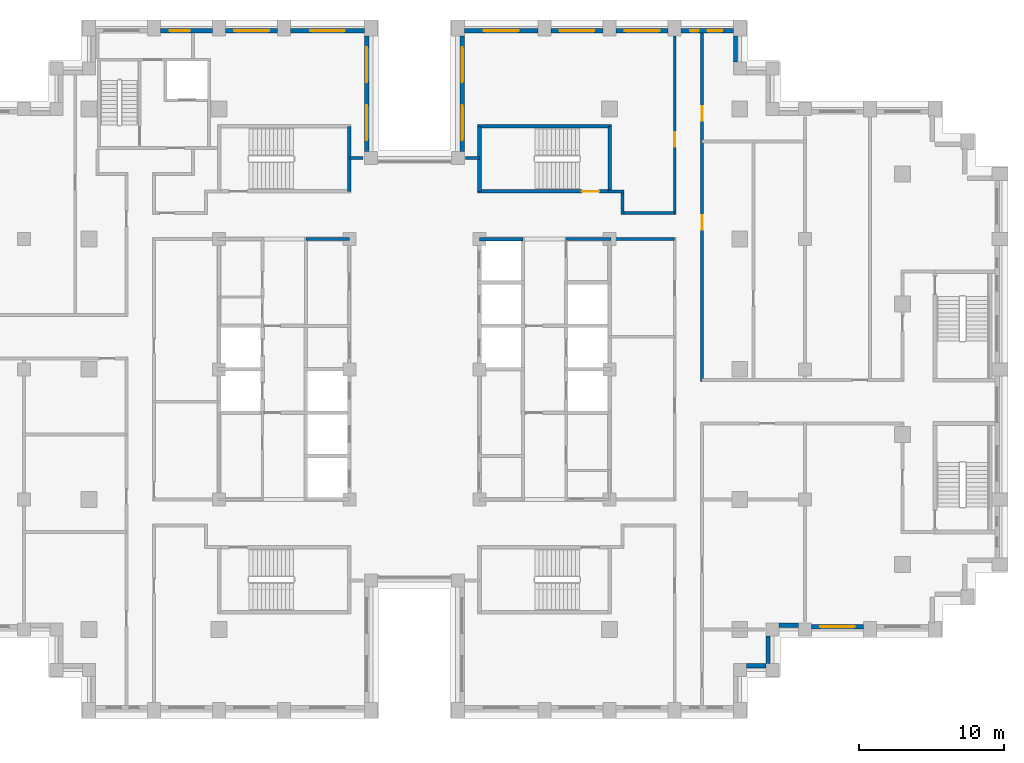
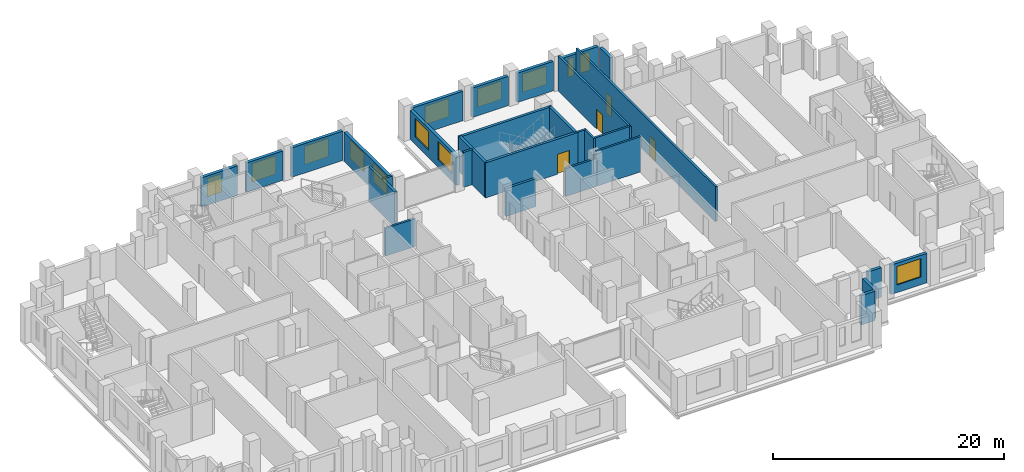
# One storey, part 11 of 16: 30 walls, 13 windows, 4 doors, 17 openings.
"""IFC4 building model written with IfcOpenShell, lengths in metres."""

from ifc_helpers import new_model, si_unit, direction, frame, frame_2d, origin, place, context, subcontext, project, spatial, rectangle, extrude, material, layer, layer_set, type_object, element, fill, save


model = new_model("IFC4")

# Units and contexts
model_context = context("Model", 3, precision=1e-05, world=origin(), true_north=direction((0.0, 1.0)))
body_context = subcontext(model_context, "Body", "Model", "MODEL_VIEW")
ifc_project = project(units=[si_unit("LENGTHUNIT", "METRE"), si_unit("AREAUNIT", "SQUARE_METRE"), si_unit("VOLUMEUNIT", "CUBIC_METRE"), si_unit("PLANEANGLEUNIT", "RADIAN"), si_unit("MASSUNIT", "GRAM", prefix="KILO")], contexts=[model_context])

# Site, building, storey
site_placement = place(None, origin())
site = spatial("IfcSite", under=ifc_project, at=site_placement, CompositionType="ELEMENT")
building_placement = place(site_placement, origin())
building = spatial("IfcBuilding", under=site, at=building_placement, Name="Corbelhall Arena Tower", CompositionType="ELEMENT")
storey_placement = place(building_placement, frame((0.0, 0.0, 154.0)))
storey = spatial("IfcBuildingStorey", under=building, at=storey_placement, Name="L30", CompositionType="ELEMENT", Elevation=154.0)

# Walls
ifc_material_1 = material(Name="Precast concrete C40/50 with granite facing", Category="masonry")
ifc_layer_1 = layer(ifc_material_1, 0.300048828125)
ifc_layer_set_1 = layer_set([ifc_layer_1], Name="EV-IW1 Infill panel 300")
wall_type_1 = type_object("IfcWallType", Name="EV-IW1 Infill panel 300", PredefinedType="SOLIDWALL", material=ifc_layer_set_1)
wall_1_placement = place(storey_placement, frame((22.949951171875, -20.5, 0.0), z_axis=(0.0, 0.0, 1.0), x_axis=(1.0, 0.0, 0.0)))
element("IfcWall", 1, at=wall_1_placement, inside=storey, type_object=wall_type_1, Name="Infill panel IW1", PredefinedType="SOLIDWALL", context=body_context, shape_type="SweptSolid", body=[
    extrude(rectangle(XDim=1.35009765625, YDim=0.300048828125, at=frame_2d((0.675048828125, 0.0))), origin(), (0.0, 0.0, 1.0), 3.10009765625),
])
wall_2_placement = place(storey_placement, frame((24.449951171875, -20.35009765625, 0.0), z_axis=(0.0, 0.0, 1.0), x_axis=(0.0, 1.0, 0.0)))
element("IfcWall", 2, at=wall_2_placement, inside=storey, type_object=wall_type_1, Name="Infill panel IW1", PredefinedType="SOLIDWALL", context=body_context, shape_type="SweptSolid", body=[
    extrude(rectangle(XDim=1.900146484375, YDim=0.300048828125, at=frame_2d((0.9501953125, 0.0))), origin(), (0.0, 0.0, 1.0), 3.10009765625),
])
wall_3_placement = place(storey_placement, frame((25.199951171875, -17.699951171875, 0.0), z_axis=(0.0, 0.0, 1.0), x_axis=(1.0, 0.0, 0.0)))
element("IfcWall", 3, at=wall_3_placement, inside=storey, type_object=wall_type_1, Name="Infill panel IW1", PredefinedType="SOLIDWALL", context=body_context, shape_type="SweptSolid", body=[
    extrude(rectangle(XDim=1.35009765625, YDim=0.300048828125, at=frame_2d((0.675048828125, 0.0))), origin(), (0.0, 0.0, 1.0), 3.10009765625),
])

# Wall, opening, window
wall_4_placement = place(storey_placement, frame((27.449951171875, -17.800048828125, 0.0), z_axis=(0.0, 0.0, 1.0), x_axis=(1.0, 0.0, 0.0)))
wall_4 = element("IfcWall", 4, at=wall_4_placement, inside=storey, type_object=wall_type_1, Name="Infill panel IW1", PredefinedType="SOLIDWALL", context=body_context, shape_type="SweptSolid", body=[
    extrude(rectangle(XDim=3.60009765625, YDim=0.300048828125, at=frame_2d((1.800048828125, 0.0))), origin(), (0.0, 0.0, 1.0), 3.10009765625),
])
opening_1_placement = place(wall_4_placement, frame((0.60009765625, 0.0, 0.800048828125)))
opening_1 = element("IfcOpeningElement", 5, at=opening_1_placement, cuts=wall_4, Name="Opening WN1", PredefinedType="OPENING", context=body_context, shape_type="SweptSolid", body=[
    extrude(rectangle(XDim=2.39990234375, YDim=1.949951171875, at=frame_2d((1.199951171875, 0.97509765625))), frame((0.0, 0.14990234375, 0.0), z_axis=(0.0, -1.0, 0.0), x_axis=(1.0, 0.0, 0.0)), (0.0, 0.0, 1.0), 0.300048828125),
])
ifc_material_2 = material(Name="Aluminium black anodised", Category="aluminium")
window_type_1 = type_object("IfcWindowType", Name="EV-WN1 Office window", PartitioningType="SINGLE_PANEL", PredefinedType="WINDOW", material=ifc_material_2)
window_1_placement = place(opening_1_placement, origin())
window_1 = element("IfcWindow", 6, at=window_1_placement, inside=storey, type_object=window_type_1, Name="Window WN1", OverallHeight=1.949951171875, OverallWidth=2.39990234375, PartitioningType="SINGLE_PANEL", PredefinedType="WINDOW", context=body_context, shape_type="SweptSolid", body=[
    extrude(rectangle(XDim=2.39990234375, YDim=1.949951171875, at=frame_2d((1.199951171875, 0.97509765625))), frame((0.0, 0.030029296875, 0.0), z_axis=(0.0, -1.0, 0.0), x_axis=(1.0, 0.0, 0.0)), (0.0, 0.0, 1.0), 0.06005859375),
])
fill(opening_1, window_1)

# Wall
wall_5_placement = place(storey_placement, frame((22.199951171875, 21.25, 0.0), z_axis=(0.0, 0.0, 1.0), x_axis=(0.0, 1.0, 0.0)))
element("IfcWall", 7, at=wall_5_placement, inside=storey, type_object=wall_type_1, Name="Infill panel IW1", PredefinedType="SOLIDWALL", context=body_context, shape_type="SweptSolid", body=[
    extrude(rectangle(XDim=1.800048828125, YDim=0.300048828125, at=frame_2d((0.89990234375, 0.0))), origin(), (0.0, 0.0, 1.0), 3.10009765625),
])

# Wall, openings, windows
wall_6_placement = place(storey_placement, frame((22.050048828125, 23.39990234375, 0.0), z_axis=(0.0, 0.0, 1.0), x_axis=(-1.0, 0.0, 0.0)))
wall_6 = element("IfcWall", 8, at=wall_6_placement, inside=storey, type_object=wall_type_1, Name="Infill panel IW1", PredefinedType="SOLIDWALL", context=body_context, shape_type="SweptSolid", body=[
    extrude(rectangle(XDim=3.60009765625, YDim=0.300048828125, at=frame_2d((1.800048828125, 0.0))), origin(), (0.0, 0.0, 1.0), 3.10009765625),
])
opening_2_placement = place(wall_6_placement, frame((0.77490234375, 0.0, 0.800048828125)))
opening_2 = element("IfcOpeningElement", 9, at=opening_2_placement, cuts=wall_6, Name="Opening WN6", PredefinedType="OPENING", context=body_context, shape_type="SweptSolid", body=[
    extrude(rectangle(XDim=1.0, YDim=1.949951171875, at=frame_2d((0.5, 0.97509765625))), frame((0.0, 0.14990234375, 0.0), z_axis=(0.0, -1.0, 0.0), x_axis=(1.0, 0.0, 0.0)), (0.0, 0.0, 1.0), 0.300048828125),
])
opening_3_placement = place(wall_6_placement, frame((2.375, 0.0, 0.800048828125)))
opening_3 = element("IfcOpeningElement", 10, at=opening_3_placement, cuts=wall_6, Name="Opening WN5", PredefinedType="OPENING", context=body_context, shape_type="SweptSolid", body=[
    extrude(rectangle(XDim=0.60009765625, YDim=1.949951171875, at=frame_2d((0.300048828125, 0.97509765625))), frame((0.0, 0.14990234375, 0.0), z_axis=(0.0, -1.0, 0.0), x_axis=(1.0, 0.0, 0.0)), (0.0, 0.0, 1.0), 0.300048828125),
])
window_type_2 = type_object("IfcWindowType", Name="EV-WN5 Office window 600", PartitioningType="SINGLE_PANEL", PredefinedType="WINDOW", material=ifc_material_2)
window_2_placement = place(opening_3_placement, origin())
window_2 = element("IfcWindow", 11, at=window_2_placement, inside=storey, type_object=window_type_2, Name="Window WN5", OverallHeight=1.949951171875, OverallWidth=0.60009765625, PartitioningType="SINGLE_PANEL", PredefinedType="WINDOW", context=body_context, shape_type="SweptSolid", body=[
    extrude(rectangle(XDim=0.60009765625, YDim=1.949951171875, at=frame_2d((0.300048828125, 0.97509765625))), frame((0.0, 0.030029296875, 0.0), z_axis=(0.0, -1.0, 0.0), x_axis=(1.0, 0.0, 0.0)), (0.0, 0.0, 1.0), 0.06005859375),
])
fill(opening_3, window_2)
window_type_3 = type_object("IfcWindowType", Name="EV-WN6 Office window 1000", PartitioningType="SINGLE_PANEL", PredefinedType="WINDOW", material=ifc_material_2)
window_3_placement = place(opening_2_placement, origin())
window_3 = element("IfcWindow", 12, at=window_3_placement, inside=storey, type_object=window_type_3, Name="Window WN6", OverallHeight=1.949951171875, OverallWidth=1.0, PartitioningType="SINGLE_PANEL", PredefinedType="WINDOW", context=body_context, shape_type="SweptSolid", body=[
    extrude(rectangle(XDim=1.0, YDim=1.949951171875, at=frame_2d((0.5, 0.97509765625))), frame((0.0, 0.030029296875, 0.0), z_axis=(0.0, -1.0, 0.0), x_axis=(1.0, 0.0, 0.0)), (0.0, 0.0, 1.0), 0.06005859375),
])
fill(opening_2, window_3)

# Wall, opening, window
wall_7_placement = place(storey_placement, frame((17.550048828125, 23.39990234375, 0.0), z_axis=(0.0, 0.0, 1.0), x_axis=(-1.0, 0.0, 0.0)))
wall_7 = element("IfcWall", 13, at=wall_7_placement, inside=storey, type_object=wall_type_1, Name="Infill panel IW1", PredefinedType="SOLIDWALL", context=body_context, shape_type="SweptSolid", body=[
    extrude(rectangle(XDim=3.60009765625, YDim=0.300048828125, at=frame_2d((1.800048828125, 0.0))), origin(), (0.0, 0.0, 1.0), 3.10009765625),
])
opening_4_placement = place(wall_7_placement, frame((0.60009765625, 0.0, 0.800048828125)))
opening_4 = element("IfcOpeningElement", 14, at=opening_4_placement, cuts=wall_7, Name="Opening WN1", PredefinedType="OPENING", context=body_context, shape_type="SweptSolid", body=[
    extrude(rectangle(XDim=2.39990234375, YDim=1.949951171875, at=frame_2d((1.199951171875, 0.97509765625))), frame((0.0, 0.14990234375, 0.0), z_axis=(0.0, -1.0, 0.0), x_axis=(1.0, 0.0, 0.0)), (0.0, 0.0, 1.0), 0.300048828125),
])
window_4_placement = place(opening_4_placement, origin())
window_4 = element("IfcWindow", 15, at=window_4_placement, inside=storey, type_object=window_type_1, Name="Window WN1", OverallHeight=1.949951171875, OverallWidth=2.39990234375, PartitioningType="SINGLE_PANEL", PredefinedType="WINDOW", context=body_context, shape_type="SweptSolid", body=[
    extrude(rectangle(XDim=2.39990234375, YDim=1.949951171875, at=frame_2d((1.199951171875, 0.97509765625))), frame((0.0, 0.030029296875, 0.0), z_axis=(0.0, -1.0, 0.0), x_axis=(1.0, 0.0, 0.0)), (0.0, 0.0, 1.0), 0.06005859375),
])
fill(opening_4, window_4)

wall_8_placement = place(storey_placement, frame((13.050048828125, 23.39990234375, 0.0), z_axis=(0.0, 0.0, 1.0), x_axis=(-1.0, 0.0, 0.0)))
wall_8 = element("IfcWall", 16, at=wall_8_placement, inside=storey, type_object=wall_type_1, Name="Infill panel IW1", PredefinedType="SOLIDWALL", context=body_context, shape_type="SweptSolid", body=[
    extrude(rectangle(XDim=3.60009765625, YDim=0.300048828125, at=frame_2d((1.800048828125, 0.0))), origin(), (0.0, 0.0, 1.0), 3.10009765625),
])
opening_5_placement = place(wall_8_placement, frame((0.60009765625, 0.0, 0.800048828125)))
opening_5 = element("IfcOpeningElement", 17, at=opening_5_placement, cuts=wall_8, Name="Opening WN1", PredefinedType="OPENING", context=body_context, shape_type="SweptSolid", body=[
    extrude(rectangle(XDim=2.39990234375, YDim=1.949951171875, at=frame_2d((1.199951171875, 0.97509765625))), frame((0.0, 0.14990234375, 0.0), z_axis=(0.0, -1.0, 0.0), x_axis=(1.0, 0.0, 0.0)), (0.0, 0.0, 1.0), 0.300048828125),
])
window_5_placement = place(opening_5_placement, origin())
window_5 = element("IfcWindow", 18, at=window_5_placement, inside=storey, type_object=window_type_1, Name="Window WN1", OverallHeight=1.949951171875, OverallWidth=2.39990234375, PartitioningType="SINGLE_PANEL", PredefinedType="WINDOW", context=body_context, shape_type="SweptSolid", body=[
    extrude(rectangle(XDim=2.39990234375, YDim=1.949951171875, at=frame_2d((1.199951171875, 0.97509765625))), frame((0.0, 0.030029296875, 0.0), z_axis=(0.0, -1.0, 0.0), x_axis=(1.0, 0.0, 0.0)), (0.0, 0.0, 1.0), 0.06005859375),
])
fill(opening_5, window_5)

wall_9_placement = place(storey_placement, frame((8.550048828125, 23.39990234375, 0.0), z_axis=(0.0, 0.0, 1.0), x_axis=(-1.0, 0.0, 0.0)))
wall_9 = element("IfcWall", 19, at=wall_9_placement, inside=storey, type_object=wall_type_1, Name="Infill panel IW1", PredefinedType="SOLIDWALL", context=body_context, shape_type="SweptSolid", body=[
    extrude(rectangle(XDim=5.10009765625, YDim=0.300048828125, at=frame_2d((2.550048828125, 0.0))), origin(), (0.0, 0.0, 1.0), 3.10009765625),
])
opening_6_placement = place(wall_9_placement, frame((1.35009765625, 0.0, 0.800048828125)))
opening_6 = element("IfcOpeningElement", 20, at=opening_6_placement, cuts=wall_9, Name="Opening WN1", PredefinedType="OPENING", context=body_context, shape_type="SweptSolid", body=[
    extrude(rectangle(XDim=2.39990234375, YDim=1.949951171875, at=frame_2d((1.199951171875, 0.97509765625))), frame((0.0, 0.14990234375, 0.0), z_axis=(0.0, -1.0, 0.0), x_axis=(1.0, 0.0, 0.0)), (0.0, 0.0, 1.0), 0.300048828125),
])
window_6_placement = place(opening_6_placement, origin())
window_6 = element("IfcWindow", 21, at=window_6_placement, inside=storey, type_object=window_type_1, Name="Window WN1", OverallHeight=1.949951171875, OverallWidth=2.39990234375, PartitioningType="SINGLE_PANEL", PredefinedType="WINDOW", context=body_context, shape_type="SweptSolid", body=[
    extrude(rectangle(XDim=2.39990234375, YDim=1.949951171875, at=frame_2d((1.199951171875, 0.97509765625))), frame((0.0, 0.030029296875, 0.0), z_axis=(0.0, -1.0, 0.0), x_axis=(1.0, 0.0, 0.0)), (0.0, 0.0, 1.0), 0.06005859375),
])
fill(opening_6, window_6)

# Wall, openings, windows
wall_10_placement = place(storey_placement, frame((3.300048828125, 23.050048828125, 0.0), z_axis=(0.0, 0.0, 1.0), x_axis=(0.0, -1.0, 0.0)))
wall_10 = element("IfcWall", 22, at=wall_10_placement, inside=storey, type_object=wall_type_1, Name="Infill panel IW1", PredefinedType="SOLIDWALL", context=body_context, shape_type="SweptSolid", body=[
    extrude(rectangle(XDim=8.0, YDim=0.300048828125, at=frame_2d((4.0, 0.0))), origin(), (0.0, 0.0, 1.0), 3.10009765625),
])
opening_7_placement = place(wall_10_placement, frame((0.800048828125, 0.0, 0.800048828125)))
opening_7 = element("IfcOpeningElement", 23, at=opening_7_placement, cuts=wall_10, Name="Opening WN1", PredefinedType="OPENING", context=body_context, shape_type="SweptSolid", body=[
    extrude(rectangle(XDim=2.39990234375, YDim=1.949951171875, at=frame_2d((1.199951171875, 0.97509765625))), frame((0.0, 0.14990234375, 0.0), z_axis=(0.0, -1.0, 0.0), x_axis=(1.0, 0.0, 0.0)), (0.0, 0.0, 1.0), 0.300048828125),
])
opening_8_placement = place(wall_10_placement, frame((4.800048828125, 0.0, 0.800048828125)))
opening_8 = element("IfcOpeningElement", 24, at=opening_8_placement, cuts=wall_10, Name="Opening WN1", PredefinedType="OPENING", context=body_context, shape_type="SweptSolid", body=[
    extrude(rectangle(XDim=2.39990234375, YDim=1.949951171875, at=frame_2d((1.199951171875, 0.97509765625))), frame((0.0, 0.14990234375, 0.0), z_axis=(0.0, -1.0, 0.0), x_axis=(1.0, 0.0, 0.0)), (0.0, 0.0, 1.0), 0.300048828125),
])
window_7_placement = place(opening_7_placement, origin())
window_7 = element("IfcWindow", 25, at=window_7_placement, inside=storey, type_object=window_type_1, Name="Window WN1", OverallHeight=1.949951171875, OverallWidth=2.39990234375, PartitioningType="SINGLE_PANEL", PredefinedType="WINDOW", context=body_context, shape_type="SweptSolid", body=[
    extrude(rectangle(XDim=2.39990234375, YDim=1.949951171875, at=frame_2d((1.199951171875, 0.97509765625))), frame((0.0, 0.030029296875, 0.0), z_axis=(0.0, -1.0, 0.0), x_axis=(1.0, 0.0, 0.0)), (0.0, 0.0, 1.0), 0.06005859375),
])
fill(opening_7, window_7)
window_8_placement = place(opening_8_placement, origin())
window_8 = element("IfcWindow", 26, at=window_8_placement, inside=storey, type_object=window_type_1, Name="Window WN1", OverallHeight=1.949951171875, OverallWidth=2.39990234375, PartitioningType="SINGLE_PANEL", PredefinedType="WINDOW", context=body_context, shape_type="SweptSolid", body=[
    extrude(rectangle(XDim=2.39990234375, YDim=1.949951171875, at=frame_2d((1.199951171875, 0.97509765625))), frame((0.0, 0.030029296875, 0.0), z_axis=(0.0, -1.0, 0.0), x_axis=(1.0, 0.0, 0.0)), (0.0, 0.0, 1.0), 0.06005859375),
])
fill(opening_8, window_8)

wall_11_placement = place(storey_placement, frame((-3.300048828125, 15.050048828125, 0.0), z_axis=(0.0, 0.0, 1.0), x_axis=(0.0, 1.0, 0.0)))
wall_11 = element("IfcWall", 27, at=wall_11_placement, inside=storey, type_object=wall_type_1, Name="Infill panel IW1", PredefinedType="SOLIDWALL", context=body_context, shape_type="SweptSolid", body=[
    extrude(rectangle(XDim=8.0, YDim=0.300048828125, at=frame_2d((4.0, 0.0))), origin(), (0.0, 0.0, 1.0), 3.10009765625),
])
opening_9_placement = place(wall_11_placement, frame((0.800048828125, 0.0, 0.800048828125)))
opening_9 = element("IfcOpeningElement", 28, at=opening_9_placement, cuts=wall_11, Name="Opening WN1", PredefinedType="OPENING", context=body_context, shape_type="SweptSolid", body=[
    extrude(rectangle(XDim=2.39990234375, YDim=1.949951171875, at=frame_2d((1.199951171875, 0.97509765625))), frame((0.0, 0.14990234375, 0.0), z_axis=(0.0, -1.0, 0.0), x_axis=(1.0, 0.0, 0.0)), (0.0, 0.0, 1.0), 0.300048828125),
])
opening_10_placement = place(wall_11_placement, frame((4.800048828125, 0.0, 0.800048828125)))
opening_10 = element("IfcOpeningElement", 29, at=opening_10_placement, cuts=wall_11, Name="Opening WN1", PredefinedType="OPENING", context=body_context, shape_type="SweptSolid", body=[
    extrude(rectangle(XDim=2.39990234375, YDim=1.949951171875, at=frame_2d((1.199951171875, 0.97509765625))), frame((0.0, 0.14990234375, 0.0), z_axis=(0.0, -1.0, 0.0), x_axis=(1.0, 0.0, 0.0)), (0.0, 0.0, 1.0), 0.300048828125),
])
window_9_placement = place(opening_9_placement, origin())
window_9 = element("IfcWindow", 30, at=window_9_placement, inside=storey, type_object=window_type_1, Name="Window WN1", OverallHeight=1.949951171875, OverallWidth=2.39990234375, PartitioningType="SINGLE_PANEL", PredefinedType="WINDOW", context=body_context, shape_type="SweptSolid", body=[
    extrude(rectangle(XDim=2.39990234375, YDim=1.949951171875, at=frame_2d((1.199951171875, 0.97509765625))), frame((0.0, 0.030029296875, 0.0), z_axis=(0.0, -1.0, 0.0), x_axis=(1.0, 0.0, 0.0)), (0.0, 0.0, 1.0), 0.06005859375),
])
fill(opening_9, window_9)
window_10_placement = place(opening_10_placement, origin())
window_10 = element("IfcWindow", 31, at=window_10_placement, inside=storey, type_object=window_type_1, Name="Window WN1", OverallHeight=1.949951171875, OverallWidth=2.39990234375, PartitioningType="SINGLE_PANEL", PredefinedType="WINDOW", context=body_context, shape_type="SweptSolid", body=[
    extrude(rectangle(XDim=2.39990234375, YDim=1.949951171875, at=frame_2d((1.199951171875, 0.97509765625))), frame((0.0, 0.030029296875, 0.0), z_axis=(0.0, -1.0, 0.0), x_axis=(1.0, 0.0, 0.0)), (0.0, 0.0, 1.0), 0.06005859375),
])
fill(opening_10, window_10)

# Wall, opening, window
wall_12_placement = place(storey_placement, frame((-3.449951171875, 23.39990234375, 0.0), z_axis=(0.0, 0.0, 1.0), x_axis=(-1.0, 0.0, 0.0)))
wall_12 = element("IfcWall", 32, at=wall_12_placement, inside=storey, type_object=wall_type_1, Name="Infill panel IW1", PredefinedType="SOLIDWALL", context=body_context, shape_type="SweptSolid", body=[
    extrude(rectangle(XDim=5.10009765625, YDim=0.300048828125, at=frame_2d((2.550048828125, 0.0))), origin(), (0.0, 0.0, 1.0), 3.10009765625),
])
opening_11_placement = place(wall_12_placement, frame((1.35009765625, 0.0, 0.800048828125)))
opening_11 = element("IfcOpeningElement", 33, at=opening_11_placement, cuts=wall_12, Name="Opening WN1", PredefinedType="OPENING", context=body_context, shape_type="SweptSolid", body=[
    extrude(rectangle(XDim=2.39990234375, YDim=1.949951171875, at=frame_2d((1.199951171875, 0.97509765625))), frame((0.0, 0.14990234375, 0.0), z_axis=(0.0, -1.0, 0.0), x_axis=(1.0, 0.0, 0.0)), (0.0, 0.0, 1.0), 0.300048828125),
])
window_11_placement = place(opening_11_placement, origin())
window_11 = element("IfcWindow", 34, at=window_11_placement, inside=storey, type_object=window_type_1, Name="Window WN1", OverallHeight=1.949951171875, OverallWidth=2.39990234375, PartitioningType="SINGLE_PANEL", PredefinedType="WINDOW", context=body_context, shape_type="SweptSolid", body=[
    extrude(rectangle(XDim=2.39990234375, YDim=1.949951171875, at=frame_2d((1.199951171875, 0.97509765625))), frame((0.0, 0.030029296875, 0.0), z_axis=(0.0, -1.0, 0.0), x_axis=(1.0, 0.0, 0.0)), (0.0, 0.0, 1.0), 0.06005859375),
])
fill(opening_11, window_11)

wall_13_placement = place(storey_placement, frame((-9.449951171875, 23.39990234375, 0.0), z_axis=(0.0, 0.0, 1.0), x_axis=(-1.0, 0.0, 0.0)))
wall_13 = element("IfcWall", 35, at=wall_13_placement, inside=storey, type_object=wall_type_1, Name="Infill panel IW1", PredefinedType="SOLIDWALL", context=body_context, shape_type="SweptSolid", body=[
    extrude(rectangle(XDim=3.60009765625, YDim=0.300048828125, at=frame_2d((1.800048828125, 0.0))), origin(), (0.0, 0.0, 1.0), 3.10009765625),
])
opening_12_placement = place(wall_13_placement, frame((0.60009765625, 0.0, 0.800048828125)))
opening_12 = element("IfcOpeningElement", 36, at=opening_12_placement, cuts=wall_13, Name="Opening WN1", PredefinedType="OPENING", context=body_context, shape_type="SweptSolid", body=[
    extrude(rectangle(XDim=2.39990234375, YDim=1.949951171875, at=frame_2d((1.199951171875, 0.97509765625))), frame((0.0, 0.14990234375, 0.0), z_axis=(0.0, -1.0, 0.0), x_axis=(1.0, 0.0, 0.0)), (0.0, 0.0, 1.0), 0.300048828125),
])
window_12_placement = place(opening_12_placement, origin())
window_12 = element("IfcWindow", 37, at=window_12_placement, inside=storey, type_object=window_type_1, Name="Window WN1", OverallHeight=1.949951171875, OverallWidth=2.39990234375, PartitioningType="SINGLE_PANEL", PredefinedType="WINDOW", context=body_context, shape_type="SweptSolid", body=[
    extrude(rectangle(XDim=2.39990234375, YDim=1.949951171875, at=frame_2d((1.199951171875, 0.97509765625))), frame((0.0, 0.030029296875, 0.0), z_axis=(0.0, -1.0, 0.0), x_axis=(1.0, 0.0, 0.0)), (0.0, 0.0, 1.0), 0.06005859375),
])
fill(opening_12, window_12)

wall_14_placement = place(storey_placement, frame((-13.949951171875, 23.39990234375, 0.0), z_axis=(0.0, 0.0, 1.0), x_axis=(-1.0, 0.0, 0.0)))
wall_14 = element("IfcWall", 38, at=wall_14_placement, inside=storey, type_object=wall_type_1, Name="Infill panel IW1", PredefinedType="SOLIDWALL", context=body_context, shape_type="SweptSolid", body=[
    extrude(rectangle(XDim=3.60009765625, YDim=0.300048828125, at=frame_2d((1.800048828125, 0.0))), origin(), (0.0, 0.0, 1.0), 3.10009765625),
])
opening_13_placement = place(wall_14_placement, frame((1.574951171875, 0.0, 0.800048828125)))
opening_13 = element("IfcOpeningElement", 39, at=opening_13_placement, cuts=wall_14, Name="Opening WN7", PredefinedType="OPENING", context=body_context, shape_type="SweptSolid", body=[
    extrude(rectangle(XDim=1.39990234375, YDim=1.949951171875, at=frame_2d((0.699951171875, 0.97509765625))), frame((0.0, 0.14990234375, 0.0), z_axis=(0.0, -1.0, 0.0), x_axis=(1.0, 0.0, 0.0)), (0.0, 0.0, 1.0), 0.300048828125),
])
window_type_4 = type_object("IfcWindowType", Name="EV-WN7 Office window 1400", PartitioningType="SINGLE_PANEL", PredefinedType="WINDOW", material=ifc_material_2)
window_13_placement = place(opening_13_placement, origin())
window_13 = element("IfcWindow", 40, at=window_13_placement, inside=storey, type_object=window_type_4, Name="Window WN7", OverallHeight=1.949951171875, OverallWidth=1.39990234375, PartitioningType="SINGLE_PANEL", PredefinedType="WINDOW", context=body_context, shape_type="SweptSolid", body=[
    extrude(rectangle(XDim=1.39990234375, YDim=1.949951171875, at=frame_2d((0.699951171875, 0.97509765625))), frame((0.0, 0.030029296875, 0.0), z_axis=(0.0, -1.0, 0.0), x_axis=(1.0, 0.0, 0.0)), (0.0, 0.0, 1.0), 0.06005859375),
])
fill(opening_13, window_13)

# Walls
ifc_material_3 = material(Name="Gypsum board on steel stud, acoustic", Category="steel")
ifc_layer_2 = layer(ifc_material_3, 0.199951171875)
ifc_layer_set_2 = layer_set([ifc_layer_2], Name="IN-W-DM200")
wall_type_2 = type_object("IfcWallType", Name="IN-W-DM200", PredefinedType="PARTITIONING", material=ifc_layer_set_2)
for number, where, z_axis, x_axis, name in (
    (41, (-4.5, 14.60009765625, 0.0), (0.0, 0.0, 1.0), (1.0, 0.0, 0.0), "Partition 033"),
    (42, (3.550048828125, 14.60009765625, 0.0), (0.0, 0.0, 1.0), (1.0, 0.0, 0.0), "Partition 035"),
):
    element("IfcWall", number, at=place(storey_placement, frame(where, z_axis=z_axis, x_axis=x_axis)), inside=storey, type_object=wall_type_2, Name=name, PredefinedType="PARTITIONING", context=body_context, shape_type="SweptSolid", body=[
        extrude(rectangle(XDim=0.949951171875, YDim=0.199951171875, at=frame_2d((0.47509765625, 0.0))), origin(), (0.0, 0.0, 1.0), 3.699951171875),
    ])
wall_15_placement = place(storey_placement, frame((13.375, 12.300048828125, 0.0), z_axis=(0.0, 0.0, 1.0), x_axis=(1.0, 0.0, 0.0)))
element("IfcWall", 43, at=wall_15_placement, inside=storey, type_object=wall_type_2, Name="Partition 037", PredefinedType="PARTITIONING", context=body_context, shape_type="SweptSolid", body=[
    extrude(rectangle(XDim=1.125, YDim=0.199951171875, at=frame_2d((0.5625, 0.0))), origin(), (0.0, 0.0, 1.0), 3.699951171875),
])
wall_16_placement = place(storey_placement, frame((18.0, 9.0, 0.0), z_axis=(0.0, 0.0, 1.0), x_axis=(-1.0, 0.0, 0.0)))
element("IfcWall", 44, at=wall_16_placement, inside=storey, type_object=wall_type_2, Name="Partition 042", PredefinedType="PARTITIONING", context=body_context, shape_type="SweptSolid", body=[
    extrude(rectangle(XDim=4.5, YDim=0.199951171875, at=frame_2d((2.25, 0.0))), origin(), (0.0, 0.0, 1.0), 3.699951171875),
])
wall_17_placement = place(storey_placement, frame((14.39990234375, 10.800048828125, 0.0), z_axis=(0.0, 0.0, 1.0), x_axis=(1.0, 0.0, 0.0)))
element("IfcWall", 45, at=wall_17_placement, inside=storey, type_object=wall_type_2, Name="Partition 043", PredefinedType="PARTITIONING", context=body_context, shape_type="SweptSolid", body=[
    extrude(rectangle(XDim=3.60009765625, YDim=0.199951171875, at=frame_2d((1.800048828125, 0.0))), origin(), (0.0, 0.0, 1.0), 3.699951171875),
])
wall_18_placement = place(storey_placement, frame((14.39990234375, 12.300048828125, 0.0), z_axis=(0.0, 0.0, 1.0), x_axis=(0.0, -1.0, 0.0)))
element("IfcWall", 46, at=wall_18_placement, inside=storey, type_object=wall_type_2, Name="Partition 044", PredefinedType="PARTITIONING", context=body_context, shape_type="SweptSolid", body=[
    extrude(rectangle(XDim=1.60009765625, YDim=0.199951171875, at=frame_2d((0.800048828125, 0.0))), origin(), (0.0, 0.0, 1.0), 3.699951171875),
])

# Wall, opening, door
wall_19_placement = place(storey_placement, frame((18.0, 10.699951171875, 0.0), z_axis=(0.0, 0.0, 1.0), x_axis=(0.0, 1.0, 0.0)))
wall_19 = element("IfcWall", 47, at=wall_19_placement, inside=storey, type_object=wall_type_2, Name="Partition 048", PredefinedType="PARTITIONING", context=body_context, shape_type="SweptSolid", body=[
    extrude(rectangle(XDim=12.35009765625, YDim=0.199951171875, at=frame_2d((6.175048828125, 0.0))), origin(), (0.0, 0.0, 1.0), 3.699951171875),
])
opening_14_placement = place(wall_19_placement, frame((4.699951171875, 0.0, 0.0)))
opening_14 = element("IfcOpeningElement", 48, at=opening_14_placement, cuts=wall_19, Name="Opening 08028", PredefinedType="OPENING", context=body_context, shape_type="SweptSolid", body=[
    extrude(rectangle(XDim=1.0, YDim=2.10009765625, at=frame_2d((0.5, 1.050048828125))), frame((0.0, 0.10009765625, 0.0), z_axis=(0.0, -1.0, 0.0), x_axis=(1.0, 0.0, 0.0)), (0.0, 0.0, 1.0), 0.199951171875),
])
ifc_material_4 = material(Name="Steel door set", Category="steel")
door_type_1 = type_object("IfcDoorType", Name="IN-D-SW100", OperationType="NOTDEFINED", PredefinedType="DOOR", material=ifc_material_4)
door_1_placement = place(opening_14_placement, origin())
door_1 = element("IfcDoor", 49, at=door_1_placement, inside=storey, type_object=door_type_1, Name="Door 028", OperationType="SINGLE_SWING_LEFT", OverallHeight=2.10009765625, OverallWidth=1.0, PredefinedType="DOOR", context=body_context, shape_type="SweptSolid", body=[
    extrude(rectangle(XDim=1.0, YDim=2.10009765625, at=frame_2d((0.5, 1.050048828125))), frame((0.0, 0.02490234375, 0.0), z_axis=(0.0, -1.0, 0.0), x_axis=(1.0, 0.0, 0.0)), (0.0, 0.0, 1.0), 0.050048828125),
])
fill(opening_14, door_1)

# Wall, openings, doors
wall_20_placement = place(storey_placement, frame((19.89990234375, 23.25, 0.0), z_axis=(0.0, 0.0, 1.0), x_axis=(0.0, -1.0, 0.0)))
wall_20 = element("IfcWall", 50, at=wall_20_placement, inside=storey, type_object=wall_type_2, Name="Partition 054", PredefinedType="PARTITIONING", context=body_context, shape_type="SweptSolid", body=[
    extrude(rectangle(XDim=24.10009765625, YDim=0.199951171875, at=frame_2d((12.050048828125, 0.0))), origin(), (0.0, 0.0, 1.0), 3.699951171875),
])
opening_15_placement = place(wall_20_placement, frame((12.60009765625, 0.0, 0.0)))
opening_15 = element("IfcOpeningElement", 51, at=opening_15_placement, cuts=wall_20, Name="Opening 08036", PredefinedType="OPENING", context=body_context, shape_type="SweptSolid", body=[
    extrude(rectangle(XDim=1.0, YDim=2.10009765625, at=frame_2d((0.5, 1.050048828125))), frame((0.0, 0.10009765625, 0.0), z_axis=(0.0, -1.0, 0.0), x_axis=(1.0, 0.0, 0.0)), (0.0, 0.0, 1.0), 0.199951171875),
])
opening_16_placement = place(wall_20_placement, frame((5.050048828125, 0.0, 0.0)))
opening_16 = element("IfcOpeningElement", 52, at=opening_16_placement, cuts=wall_20, Name="Opening 08038", PredefinedType="OPENING", context=body_context, shape_type="SweptSolid", body=[
    extrude(rectangle(XDim=1.0, YDim=2.10009765625, at=frame_2d((0.5, 1.050048828125))), frame((0.0, 0.10009765625, 0.0), z_axis=(0.0, -1.0, 0.0), x_axis=(1.0, 0.0, 0.0)), (0.0, 0.0, 1.0), 0.199951171875),
])
door_2_placement = place(opening_15_placement, origin())
door_2 = element("IfcDoor", 53, at=door_2_placement, inside=storey, type_object=door_type_1, Name="Door 036", OperationType="SINGLE_SWING_LEFT", OverallHeight=2.10009765625, OverallWidth=1.0, PredefinedType="DOOR", context=body_context, shape_type="SweptSolid", body=[
    extrude(rectangle(XDim=1.0, YDim=2.10009765625, at=frame_2d((0.5, 1.050048828125))), frame((0.0, 0.02490234375, 0.0), z_axis=(0.0, -1.0, 0.0), x_axis=(1.0, 0.0, 0.0)), (0.0, 0.0, 1.0), 0.050048828125),
])
fill(opening_15, door_2)
door_3_placement = place(opening_16_placement, origin())
door_3 = element("IfcDoor", 54, at=door_3_placement, inside=storey, type_object=door_type_1, Name="Door 038", OperationType="SINGLE_SWING_LEFT", OverallHeight=2.10009765625, OverallWidth=1.0, PredefinedType="DOOR", context=body_context, shape_type="SweptSolid", body=[
    extrude(rectangle(XDim=1.0, YDim=2.10009765625, at=frame_2d((0.5, 1.050048828125))), frame((0.0, 0.02490234375, 0.0), z_axis=(0.0, -1.0, 0.0), x_axis=(1.0, 0.0, 0.0)), (0.0, 0.0, 1.0), 0.050048828125),
])
fill(opening_16, door_3)

# Walls
ifc_material_5 = material(Name="Concrete block wall", Category="concrete")
ifc_layer_3 = layer(ifc_material_5, 0.199951171875)
ifc_layer_set_3 = layer_set([ifc_layer_3], Name="IN-W-RS200 under beam 762 mm")
wall_type_3 = type_object("IfcWallType", Name="IN-W-RS200 under beam 762 mm", PredefinedType="SOLIDWALL", material=ifc_layer_set_3)
wall_21_placement = place(storey_placement, frame((-7.5, 9.0, 0.0), z_axis=(0.0, 0.0, 1.0), x_axis=(1.0, 0.0, 0.0)))
element("IfcWall", 55, at=wall_21_placement, inside=storey, type_object=wall_type_3, Name="Partition 069", PredefinedType="SOLIDWALL", context=body_context, shape_type="SweptSolid", body=[
    extrude(rectangle(XDim=3.0, YDim=0.199951171875, at=frame_2d((1.5, 0.0))), origin(), (0.0, 0.0, 1.0), 2.93798828125),
])
wall_22_placement = place(storey_placement, frame((10.5, 9.0, 0.0), z_axis=(0.0, 0.0, 1.0), x_axis=(1.0, 0.0, 0.0)))
element("IfcWall", 56, at=wall_22_placement, inside=storey, type_object=wall_type_3, Name="Partition 076", PredefinedType="SOLIDWALL", context=body_context, shape_type="SweptSolid", body=[
    extrude(rectangle(XDim=3.10009765625, YDim=0.199951171875, at=frame_2d((1.550048828125, 0.0))), origin(), (0.0, 0.0, 1.0), 2.93798828125),
])
ifc_material_6 = material(Name="Concrete C40/50", Category="concrete")
ifc_layer_4 = layer(ifc_material_6, 0.25)
ifc_layer_set_4 = layer_set([ifc_layer_4], Name="IN-W-SH250 under beam 762 mm")
wall_type_4 = type_object("IfcWallType", Name="IN-W-SH250 under beam 762 mm", PredefinedType="SOLIDWALL", material=ifc_layer_set_4)
wall_23_placement = place(storey_placement, frame((4.5, 9.0, 0.0), z_axis=(0.0, 0.0, 1.0), x_axis=(1.0, 0.0, 0.0)))
element("IfcWall", 57, at=wall_23_placement, inside=storey, type_object=wall_type_4, Name="Shaft wall 094", PredefinedType="SOLIDWALL", context=body_context, shape_type="SweptSolid", body=[
    extrude(rectangle(XDim=3.0, YDim=0.25, at=frame_2d((1.5, 0.0))), origin(), (0.0, 0.0, 1.0), 2.93798828125),
])
ifc_layer_5 = layer(ifc_material_6, 0.25)
ifc_layer_set_5 = layer_set([ifc_layer_5], Name="IN-W-ST250")
wall_type_5 = type_object("IfcWallType", Name="IN-W-ST250", PredefinedType="SOLIDWALL", material=ifc_layer_set_5)
wall_24_placement = place(storey_placement, frame((-4.5, 16.800048828125, 0.0), z_axis=(0.0, 0.0, 1.0), x_axis=(0.0, -1.0, 0.0)))
element("IfcWall", 58, at=wall_24_placement, inside=storey, type_object=wall_type_5, Name="Shaft wall 113", PredefinedType="SOLIDWALL", context=body_context, shape_type="SweptSolid", body=[
    extrude(rectangle(XDim=4.5, YDim=0.25, at=frame_2d((2.25, 0.0))), origin(), (0.0, 0.0, 1.0), 3.699951171875),
])

# Wall, opening, door
wall_25_placement = place(storey_placement, frame((4.375, 12.300048828125, 0.0), z_axis=(0.0, 0.0, 1.0), x_axis=(1.0, 0.0, 0.0)))
wall_25 = element("IfcWall", 59, at=wall_25_placement, inside=storey, type_object=wall_type_5, Name="Shaft wall 115", PredefinedType="SOLIDWALL", context=body_context, shape_type="SweptSolid", body=[
    extrude(rectangle(XDim=9.25, YDim=0.25, at=frame_2d((4.625, 0.0))), origin(), (0.0, 0.0, 1.0), 3.699951171875),
])
opening_17_placement = place(wall_25_placement, frame((7.199951171875, 0.0, 0.0)))
opening_17 = element("IfcOpeningElement", 60, at=opening_17_placement, cuts=wall_25, Name="Opening 08017", PredefinedType="OPENING", context=body_context, shape_type="SweptSolid", body=[
    extrude(rectangle(XDim=1.199951171875, YDim=2.10009765625, at=frame_2d((0.60009765625, 1.050048828125))), frame((0.0, 0.125, 0.0), z_axis=(0.0, -1.0, 0.0), x_axis=(1.0, 0.0, 0.0)), (0.0, 0.0, 1.0), 0.25),
])
door_type_2 = type_object("IfcDoorType", Name="IN-D-ST120", OperationType="NOTDEFINED", PredefinedType="DOOR", material=ifc_material_4)
door_4_placement = place(opening_17_placement, origin())
door_4 = element("IfcDoor", 61, at=door_4_placement, inside=storey, type_object=door_type_2, Name="Door 017", OperationType="SINGLE_SWING_RIGHT", OverallHeight=2.10009765625, OverallWidth=1.199951171875, PredefinedType="DOOR", context=body_context, shape_type="SweptSolid", body=[
    extrude(rectangle(XDim=1.199951171875, YDim=2.10009765625, at=frame_2d((0.60009765625, 1.050048828125))), frame((0.0, 0.02490234375, 0.0), z_axis=(0.0, -1.0, 0.0), x_axis=(1.0, 0.0, 0.0)), (0.0, 0.0, 1.0), 0.050048828125),
])
fill(opening_17, door_4)

# Walls
wall_26_placement = place(storey_placement, frame((4.375, 16.800048828125, 0.0), z_axis=(0.0, 0.0, 1.0), x_axis=(1.0, 0.0, 0.0)))
element("IfcWall", 62, at=wall_26_placement, inside=storey, type_object=wall_type_5, Name="Shaft wall 116", PredefinedType="SOLIDWALL", context=body_context, shape_type="SweptSolid", body=[
    extrude(rectangle(XDim=9.25, YDim=0.25, at=frame_2d((4.625, 0.0))), origin(), (0.0, 0.0, 1.0), 3.699951171875),
])
for number, where, z_axis, x_axis, name in (
    (63, (4.5, 12.300048828125, 0.0), (0.0, 0.0, 1.0), (0.0, 1.0, 0.0), "Shaft wall 118"),
    (64, (13.5, 16.800048828125, 0.0), (0.0, 0.0, 1.0), (0.0, -1.0, 0.0), "Shaft wall 121"),
):
    element("IfcWall", number, at=place(storey_placement, frame(where, z_axis=z_axis, x_axis=x_axis)), inside=storey, type_object=wall_type_5, Name=name, PredefinedType="SOLIDWALL", context=body_context, shape_type="SweptSolid", body=[
        extrude(rectangle(XDim=4.5, YDim=0.25, at=frame_2d((2.25, 0.0))), origin(), (0.0, 0.0, 1.0), 3.699951171875),
    ])

save(model, "model.ifc")
